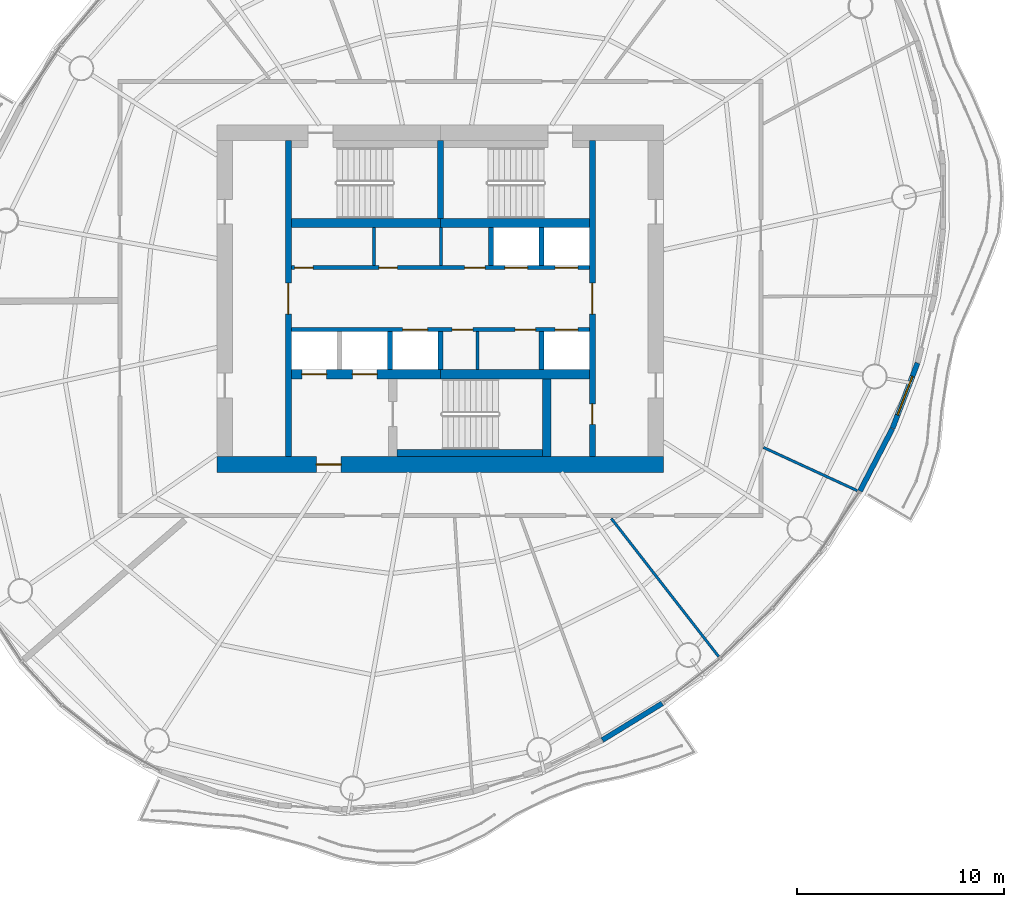
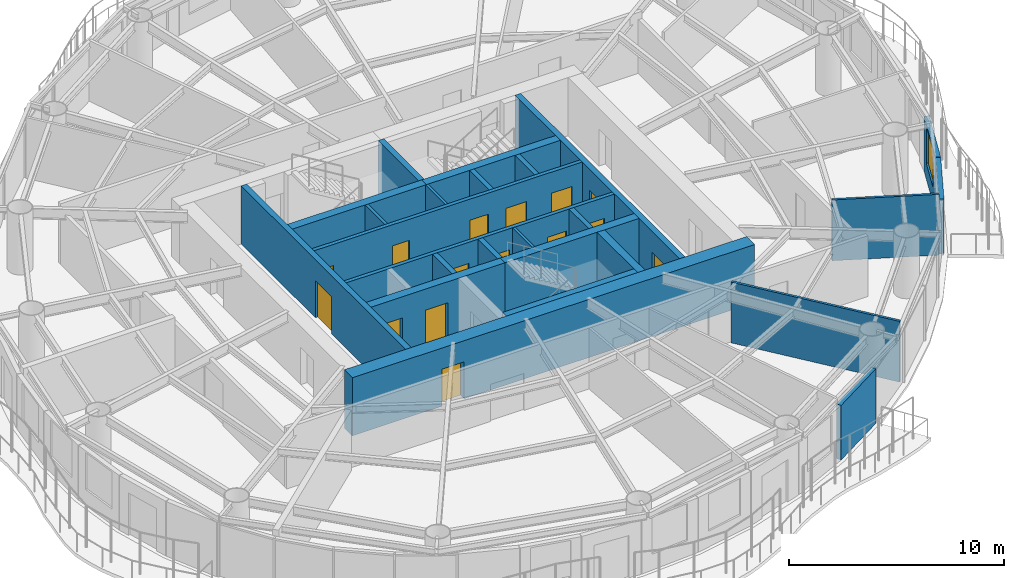
# One storey, part 9 of 15: 25 walls, 15 doors, 1 window, 16 openings.
"""IFC4 building model written with IfcOpenShell, lengths in metres."""

from ifc_helpers import new_model, si_unit, direction, frame, frame_2d, origin, place, context, subcontext, project, spatial, rectangle, extrude, material, layer, layer_set, type_object, element, fill, save


model = new_model("IFC4")

# Units and contexts
model_context = context("Model", 3, precision=1e-05, world=origin(), true_north=direction((0.0, 1.0)))
body_context = subcontext(model_context, "Body", "Model", "MODEL_VIEW")
ifc_project = project(units=[si_unit("LENGTHUNIT", "METRE"), si_unit("AREAUNIT", "SQUARE_METRE"), si_unit("VOLUMEUNIT", "CUBIC_METRE"), si_unit("PLANEANGLEUNIT", "RADIAN"), si_unit("MASSUNIT", "GRAM", prefix="KILO")], contexts=[model_context])

# Site, building, storey
site_placement = place(None, origin())
site = spatial("IfcSite", under=ifc_project, at=site_placement, CompositionType="ELEMENT")
building_placement = place(site_placement, origin())
building = spatial("IfcBuilding", under=site, at=building_placement, Name="Vermilion Reach Broadcast Tower", CompositionType="ELEMENT")
storey_placement = place(building_placement, frame((0.0, 0.0, 220.89990234375)))
storey = spatial("IfcBuildingStorey", under=building, at=storey_placement, Name="L54", CompositionType="ELEMENT", Elevation=220.89990234375)

# Wall, opening, door
ifc_material_1 = material(Name="Concrete C60", Category="concrete")
ifc_layer_1 = layer(ifc_material_1, 0.300048828125)
ifc_layer_set_1 = layer_set([ifc_layer_1], Name="Core inner wall 300 mm Concrete C60")
wall_type_1 = type_object("IfcWallType", Name="Core inner wall 300 mm Concrete C60", PredefinedType="SHEAR", material=ifc_layer_set_1)
wall_1_placement = place(storey_placement, frame((-13.35009765625, 7.64990234375, 0.0), z_axis=(0.0, 0.0, 1.0), x_axis=(0.0, -1.0, 0.0)))
wall_1 = element("IfcWall", 1, at=wall_1_placement, inside=storey, type_object=wall_type_1, Name="L54 core wall ewW", PredefinedType="SHEAR", context=body_context, shape_type="SweptSolid", body=[
    extrude(rectangle(XDim=15.2998046875, YDim=0.300048828125, at=frame_2d((7.64990234375, 0.0))), origin(), (0.0, 0.0, 1.0), 3.300048828125),
])
opening_1_placement = place(wall_1_placement, frame((6.89990234375, 0.0, 0.0)))
opening_1 = element("IfcOpeningElement", 2, at=opening_1_placement, cuts=wall_1, Name="Opening D04", PredefinedType="OPENING", context=body_context, shape_type="SweptSolid", body=[
    extrude(rectangle(XDim=1.5, YDim=2.10009765625, at=frame_2d((0.75, 1.050048828125))), frame((0.0, 0.159912109375, 0.0), z_axis=(0.0, -1.0, 0.0), x_axis=(1.0, 0.0, 0.0)), (0.0, 0.0, 1.0), 0.320068359375),
])
ifc_material_2 = material(Name="Painted steel fire door", Category="steel")
door_type_1 = type_object("IfcDoorType", Name="Lift lobby door 1500 x 2100", OperationType="DOUBLE_DOOR_SINGLE_SWING", PredefinedType="NOTDEFINED", material=ifc_material_2)
door_1_placement = place(opening_1_placement, origin())
door_1 = element("IfcDoor", 3, at=door_1_placement, inside=storey, type_object=door_type_1, Name="L54 band door BW", OperationType="DOUBLE_DOOR_SINGLE_SWING", OverallHeight=2.10009765625, OverallWidth=1.5, PredefinedType="NOTDEFINED", context=body_context, shape_type="SweptSolid", body=[
    extrude(rectangle(XDim=1.5, YDim=2.10009765625, at=frame_2d((0.75, 1.050048828125))), frame((0.0, 0.02490234375, 0.0), z_axis=(0.0, -1.0, 0.0), x_axis=(1.0, 0.0, 0.0)), (0.0, 0.0, 1.0), 0.050048828125),
])
fill(opening_1, door_1)

# Wall, openings, doors
wall_2_placement = place(storey_placement, frame((1.35009765625, -7.64990234375, 0.0), z_axis=(0.0, 0.0, 1.0), x_axis=(0.0, 1.0, 0.0)))
wall_2 = element("IfcWall", 4, at=wall_2_placement, inside=storey, type_object=wall_type_1, Name="L54 core wall ewE", PredefinedType="SHEAR", context=body_context, shape_type="SweptSolid", body=[
    extrude(rectangle(XDim=15.2998046875, YDim=0.300048828125, at=frame_2d((7.64990234375, 0.0))), origin(), (0.0, 0.0, 1.0), 3.300048828125),
])
opening_2_placement = place(wall_2_placement, frame((1.56005859375, 0.0, 0.0)))
opening_2 = element("IfcOpeningElement", 5, at=opening_2_placement, cuts=wall_2, Name="Opening D05", PredefinedType="OPENING", context=body_context, shape_type="SweptSolid", body=[
    extrude(rectangle(XDim=1.0, YDim=2.10009765625, at=frame_2d((0.5, 1.050048828125))), frame((0.0, 0.159912109375, 0.0), z_axis=(0.0, -1.0, 0.0), x_axis=(1.0, 0.0, 0.0)), (0.0, 0.0, 1.0), 0.320068359375),
])
opening_3_placement = place(wall_2_placement, frame((6.89990234375, 0.0, 0.0)))
opening_3 = element("IfcOpeningElement", 6, at=opening_3_placement, cuts=wall_2, Name="Opening D04", PredefinedType="OPENING", context=body_context, shape_type="SweptSolid", body=[
    extrude(rectangle(XDim=1.5, YDim=2.10009765625, at=frame_2d((0.75, 1.050048828125))), frame((0.0, 0.159912109375, 0.0), z_axis=(0.0, -1.0, 0.0), x_axis=(1.0, 0.0, 0.0)), (0.0, 0.0, 1.0), 0.320068359375),
])
door_2_placement = place(opening_3_placement, origin())
door_2 = element("IfcDoor", 7, at=door_2_placement, inside=storey, type_object=door_type_1, Name="L54 band door BE", OperationType="DOUBLE_DOOR_SINGLE_SWING", OverallHeight=2.10009765625, OverallWidth=1.5, PredefinedType="NOTDEFINED", context=body_context, shape_type="SweptSolid", body=[
    extrude(rectangle(XDim=1.5, YDim=2.10009765625, at=frame_2d((0.75, 1.050048828125))), frame((0.0, 0.02490234375, 0.0), z_axis=(0.0, -1.0, 0.0), x_axis=(1.0, 0.0, 0.0)), (0.0, 0.0, 1.0), 0.050048828125),
])
fill(opening_3, door_2)
ifc_material_3 = material(Name="Timber door", Category="wood")
door_type_2 = type_object("IfcDoorType", Name="Room door 1000 x 2100", OperationType="NOTDEFINED", PredefinedType="NOTDEFINED", material=ifc_material_3)
door_3_placement = place(opening_2_placement, origin())
door_3 = element("IfcDoor", 8, at=door_3_placement, inside=storey, type_object=door_type_2, Name="L54 door SER", OperationType="SINGLE_SWING_LEFT", OverallHeight=2.10009765625, OverallWidth=1.0, PredefinedType="NOTDEFINED", context=body_context, shape_type="SweptSolid", body=[
    extrude(rectangle(XDim=1.0, YDim=2.10009765625, at=frame_2d((0.5, 1.050048828125))), frame((0.0, 0.02490234375, 0.0), z_axis=(0.0, -1.0, 0.0), x_axis=(1.0, 0.0, 0.0)), (0.0, 0.0, 1.0), 0.050048828125),
])
fill(opening_2, door_3)

# Walls
wall_3_placement = place(storey_placement, frame((-6.0, 3.8798828125, 0.0), z_axis=(0.0, 0.0, 1.0), x_axis=(0.0, 1.0, 0.0)))
element("IfcWall", 9, at=wall_3_placement, inside=storey, type_object=wall_type_1, Name="L54 core wall wc", PredefinedType="SHEAR", context=body_context, shape_type="SweptSolid", body=[
    extrude(rectangle(XDim=3.77001953125, YDim=0.300048828125, at=frame_2d((1.885009765625, 0.0))), origin(), (0.0, 0.0, 1.0), 3.300048828125),
])
ifc_material_4 = material(Name="Concrete C60", Category="concrete")
ifc_layer_2 = layer(ifc_material_4, 0.39990234375)
ifc_layer_set_2 = layer_set([ifc_layer_2], Name="Core inner wall 400 mm Concrete C60")
wall_type_2 = type_object("IfcWallType", Name="Core inner wall 400 mm Concrete C60", PredefinedType="SHEAR", material=ifc_layer_set_2)
wall_4_placement = place(storey_placement, frame((-0.85009765625, -3.8798828125, 0.0), z_axis=(0.0, 0.0, 1.0), x_axis=(0.0, -1.0, 0.0)))
element("IfcWall", 10, at=wall_4_placement, inside=storey, type_object=wall_type_2, Name="L54 core wall wb", PredefinedType="SHEAR", context=body_context, shape_type="SweptSolid", body=[
    extrude(rectangle(XDim=3.77001953125, YDim=0.39990234375, at=frame_2d((1.885009765625, 0.0))), origin(), (0.0, 0.0, 1.0), 3.300048828125),
])
ifc_material_5 = material(Name="Concrete C60", Category="concrete")
ifc_layer_3 = layer(ifc_material_5, 0.449951171875)
ifc_layer_set_3 = layer_set([ifc_layer_3], Name="Core inner wall 450 mm Concrete C60")
wall_type_3 = type_object("IfcWallType", Name="Core inner wall 450 mm Concrete C60", PredefinedType="SHEAR", material=ifc_layer_set_3)
for number, where, z_axis, x_axis, name in (
    (11, (-13.199951171875, 3.655029296875, 0.0), (0.0, 0.0, 1.0), (1.0, 0.0, 0.0), "L54 core wall winW"),
    (12, (-6.0, 3.655029296875, 0.0), (0.0, 0.0, 1.0), (1.0, 0.0, 0.0), "L54 core wall winE"),
):
    element("IfcWall", number, at=place(storey_placement, frame(where, z_axis=z_axis, x_axis=x_axis)), inside=storey, type_object=wall_type_3, Name=name, PredefinedType="SHEAR", context=body_context, shape_type="SweptSolid", body=[
        extrude(rectangle(XDim=7.199951171875, YDim=0.449951171875, at=frame_2d((3.60009765625, 0.0))), origin(), (0.0, 0.0, 1.0), 3.300048828125),
    ])

# Wall, openings, doors
wall_5_placement = place(storey_placement, frame((-13.199951171875, -3.655029296875, 0.0), z_axis=(0.0, 0.0, 1.0), x_axis=(1.0, 0.0, 0.0)))
wall_5 = element("IfcWall", 13, at=wall_5_placement, inside=storey, type_object=wall_type_3, Name="L54 core wall wisW", PredefinedType="SHEAR", context=body_context, shape_type="SweptSolid", body=[
    extrude(rectangle(XDim=7.199951171875, YDim=0.449951171875, at=frame_2d((3.60009765625, 0.0))), origin(), (0.0, 0.0, 1.0), 3.300048828125),
])
opening_4_placement = place(wall_5_placement, frame((0.495849609375, 0.0, 0.0)))
opening_4 = element("IfcOpeningElement", 14, at=opening_4_placement, cuts=wall_5, Name="Opening LD1", PredefinedType="OPENING", context=body_context, shape_type="SweptSolid", body=[
    extrude(rectangle(XDim=1.199951171875, YDim=2.10009765625, at=frame_2d((0.60009765625, 1.050048828125))), frame((0.0, 0.23486328125, 0.0), z_axis=(0.0, -1.0, 0.0), x_axis=(1.0, 0.0, 0.0)), (0.0, 0.0, 1.0), 0.469970703125),
])
opening_5_placement = place(wall_5_placement, frame((2.9375, 0.0, 0.0)))
opening_5 = element("IfcOpeningElement", 15, at=opening_5_placement, cuts=wall_5, Name="Opening LD1", PredefinedType="OPENING", context=body_context, shape_type="SweptSolid", body=[
    extrude(rectangle(XDim=1.199951171875, YDim=2.10009765625, at=frame_2d((0.60009765625, 1.050048828125))), frame((0.0, 0.23486328125, 0.0), z_axis=(0.0, -1.0, 0.0), x_axis=(1.0, 0.0, 0.0)), (0.0, 0.0, 1.0), 0.469970703125),
])
ifc_material_6 = material(Name="Stainless steel", Category="steel")
door_type_3 = type_object("IfcDoorType", Name="Landing door 1200 x 2100", OperationType="DOUBLE_DOOR_SLIDING", PredefinedType="NOTDEFINED", material=ifc_material_6)
door_4_placement = place(opening_4_placement, origin())
door_4 = element("IfcDoor", 16, at=door_4_placement, inside=storey, type_object=door_type_3, Name="L54 landing door FF1", OperationType="DOUBLE_DOOR_SLIDING", OverallHeight=2.10009765625, OverallWidth=1.199951171875, PredefinedType="NOTDEFINED", context=body_context, shape_type="SweptSolid", body=[
    extrude(rectangle(XDim=1.199951171875, YDim=2.10009765625, at=frame_2d((0.60009765625, 1.050048828125))), frame((0.0, 0.02490234375, 0.0), z_axis=(0.0, -1.0, 0.0), x_axis=(1.0, 0.0, 0.0)), (0.0, 0.0, 1.0), 0.050048828125),
])
fill(opening_4, door_4)
door_5_placement = place(opening_5_placement, origin())
door_5 = element("IfcDoor", 17, at=door_5_placement, inside=storey, type_object=door_type_3, Name="L54 landing door FF2", OperationType="DOUBLE_DOOR_SLIDING", OverallHeight=2.10009765625, OverallWidth=1.199951171875, PredefinedType="NOTDEFINED", context=body_context, shape_type="SweptSolid", body=[
    extrude(rectangle(XDim=1.199951171875, YDim=2.10009765625, at=frame_2d((0.60009765625, 1.050048828125))), frame((0.0, 0.02490234375, 0.0), z_axis=(0.0, -1.0, 0.0), x_axis=(1.0, 0.0, 0.0)), (0.0, 0.0, 1.0), 0.050048828125),
])
fill(opening_5, door_5)

# Wall
wall_6_placement = place(storey_placement, frame((-6.0, -3.655029296875, 0.0), z_axis=(0.0, 0.0, 1.0), x_axis=(1.0, 0.0, 0.0)))
element("IfcWall", 18, at=wall_6_placement, inside=storey, type_object=wall_type_3, Name="L54 core wall wisE", PredefinedType="SHEAR", context=body_context, shape_type="SweptSolid", body=[
    extrude(rectangle(XDim=7.199951171875, YDim=0.449951171875, at=frame_2d((3.60009765625, 0.0))), origin(), (0.0, 0.0, 1.0), 3.300048828125),
])

# Wall, opening, door
ifc_material_7 = material(Name="Concrete C60", Category="concrete")
ifc_layer_4 = layer(ifc_material_7, 0.75)
ifc_layer_set_4 = layer_set([ifc_layer_4], Name="Core outer wall 750 mm Concrete C60")
wall_type_4 = type_object("IfcWallType", Name="Core outer wall 750 mm Concrete C60", PredefinedType="SHEAR", material=ifc_layer_set_4)
wall_7_placement = place(storey_placement, frame((-16.800048828125, -8.02490234375, 0.0), z_axis=(0.0, 0.0, 1.0), x_axis=(1.0, 0.0, 0.0)))
wall_7 = element("IfcWall", 19, at=wall_7_placement, inside=storey, type_object=wall_type_4, Name="L54 core wall os", PredefinedType="SHEAR", context=body_context, shape_type="SweptSolid", body=[
    extrude(rectangle(XDim=21.60009765625, YDim=0.75, at=frame_2d((10.800048828125, 0.0))), origin(), (0.0, 0.0, 1.0), 3.300048828125),
])
opening_6_placement = place(wall_7_placement, frame((4.800048828125, 0.0, 0.0)))
opening_6 = element("IfcOpeningElement", 20, at=opening_6_placement, cuts=wall_7, Name="Opening D02", PredefinedType="OPENING", context=body_context, shape_type="SweptSolid", body=[
    extrude(rectangle(XDim=1.199951171875, YDim=2.10009765625, at=frame_2d((0.60009765625, 1.050048828125))), frame((0.0, 0.385009765625, 0.0), z_axis=(0.0, -1.0, 0.0), x_axis=(1.0, 0.0, 0.0)), (0.0, 0.0, 1.0), 0.77001953125),
])
ifc_material_8 = material(Name="Painted steel fire door", Category="steel")
door_type_4 = type_object("IfcDoorType", Name="Firefighting lobby door 1200 x 2100", OperationType="DOUBLE_DOOR_SINGLE_SWING", PredefinedType="NOTDEFINED", material=ifc_material_8)
door_6_placement = place(opening_6_placement, origin())
door_6 = element("IfcDoor", 21, at=door_6_placement, inside=storey, type_object=door_type_4, Name="L54 ffdoor door FFL", OperationType="DOUBLE_DOOR_SINGLE_SWING", OverallHeight=2.10009765625, OverallWidth=1.199951171875, PredefinedType="NOTDEFINED", context=body_context, shape_type="SweptSolid", body=[
    extrude(rectangle(XDim=1.199951171875, YDim=2.10009765625, at=frame_2d((0.60009765625, 1.050048828125))), frame((0.0, 0.02490234375, 0.0), z_axis=(0.0, -1.0, 0.0), x_axis=(1.0, 0.0, 0.0)), (0.0, 0.0, 1.0), 0.050048828125),
])
fill(opening_6, door_6)

# Walls
ifc_material_9 = material(Name="Masonry block", Category="masonry")
ifc_layer_5 = layer(ifc_material_9, 0.14990234375)
ifc_layer_set_5 = layer_set([ifc_layer_5], Name="Core partition wall 150 mm Masonry block")
wall_type_5 = type_object("IfcWallType", Name="Core partition wall 150 mm Masonry block", PredefinedType="PARTITIONING", material=ifc_layer_set_5)
for number, where, z_axis, x_axis, name in (
    (22, (-9.202880859375, 1.60009765625, 0.0), (0.0, 0.0, 1.0), (0.0, 1.0, 0.0), "L54 core wall prN-3203"),
    (23, (-5.96728515625, 1.60009765625, 0.0), (0.0, 0.0, 1.0), (0.0, 1.0, 0.0), "L54 core wall prN33"),
    (24, (-4.20703125, -1.60009765625, 0.0), (0.0, 0.0, 1.0), (0.0, -1.0, 0.0), "L54 core wall prS1793"),
):
    element("IfcWall", number, at=place(storey_placement, frame(where, z_axis=z_axis, x_axis=x_axis)), inside=storey, type_object=wall_type_5, Name=name, PredefinedType="PARTITIONING", context=body_context, shape_type="SweptSolid", body=[
        extrude(rectangle(XDim=1.829833984375, YDim=0.14990234375, at=frame_2d((0.9150390625, 0.0))), origin(), (0.0, 0.0, 1.0), 3.300048828125),
    ])

# Wall, openings, doors
ifc_material_10 = material(Name="Concrete C50", Category="concrete")
ifc_layer_6 = layer(ifc_material_10, 0.199951171875)
ifc_layer_set_6 = layer_set([ifc_layer_6], Name="Core shaft wall 200 mm Concrete C50")
wall_type_6 = type_object("IfcWallType", Name="Core shaft wall 200 mm Concrete C50", PredefinedType="SHEAR", material=ifc_layer_set_6)
wall_8_placement = place(storey_placement, frame((-13.199951171875, 1.5, 0.0), z_axis=(0.0, 0.0, 1.0), x_axis=(1.0, 0.0, 0.0)))
wall_8 = element("IfcWall", 25, at=wall_8_placement, inside=storey, type_object=wall_type_6, Name="L54 core wall fn", PredefinedType="SHEAR", context=body_context, shape_type="SweptSolid", body=[
    extrude(rectangle(XDim=14.39990234375, YDim=0.199951171875, at=frame_2d((7.199951171875, 0.0))), origin(), (0.0, 0.0, 1.0), 3.300048828125),
])
opening_7_placement = place(wall_8_placement, frame((10.3125, 0.0, 0.0)))
opening_7 = element("IfcOpeningElement", 26, at=opening_7_placement, cuts=wall_8, Name="Opening LD2", PredefinedType="OPENING", context=body_context, shape_type="SweptSolid", body=[
    extrude(rectangle(XDim=1.10009765625, YDim=2.10009765625, at=frame_2d((0.550048828125, 1.050048828125))), frame((0.0, 0.10986328125, 0.0), z_axis=(0.0, -1.0, 0.0), x_axis=(1.0, 0.0, 0.0)), (0.0, 0.0, 1.0), 0.219970703125),
])
opening_8_placement = place(wall_8_placement, frame((12.754150390625, 0.0, 0.0)))
opening_8 = element("IfcOpeningElement", 27, at=opening_8_placement, cuts=wall_8, Name="Opening LD2", PredefinedType="OPENING", context=body_context, shape_type="SweptSolid", body=[
    extrude(rectangle(XDim=1.10009765625, YDim=2.10009765625, at=frame_2d((0.550048828125, 1.050048828125))), frame((0.0, 0.10986328125, 0.0), z_axis=(0.0, -1.0, 0.0), x_axis=(1.0, 0.0, 0.0)), (0.0, 0.0, 1.0), 0.219970703125),
])
opening_9_placement = place(wall_8_placement, frame((0.14990234375, 0.0, 0.0)))
opening_9 = element("IfcOpeningElement", 28, at=opening_9_placement, cuts=wall_8, Name="Opening D06", PredefinedType="OPENING", context=body_context, shape_type="SweptSolid", body=[
    extrude(rectangle(XDim=0.89990234375, YDim=2.10009765625, at=frame_2d((0.449951171875, 1.050048828125))), frame((0.0, 0.10986328125, 0.0), z_axis=(0.0, -1.0, 0.0), x_axis=(1.0, 0.0, 0.0)), (0.0, 0.0, 1.0), 0.219970703125),
])
opening_10_placement = place(wall_8_placement, frame((4.221923828125, 0.0, 0.0)))
opening_10 = element("IfcOpeningElement", 29, at=opening_10_placement, cuts=wall_8, Name="Opening D06", PredefinedType="OPENING", context=body_context, shape_type="SweptSolid", body=[
    extrude(rectangle(XDim=0.89990234375, YDim=2.10009765625, at=frame_2d((0.449951171875, 1.050048828125))), frame((0.0, 0.10986328125, 0.0), z_axis=(0.0, -1.0, 0.0), x_axis=(1.0, 0.0, 0.0)), (0.0, 0.0, 1.0), 0.219970703125),
])
opening_11_placement = place(wall_8_placement, frame((8.36669921875, 0.0, 0.0)))
opening_11 = element("IfcOpeningElement", 30, at=opening_11_placement, cuts=wall_8, Name="Opening D10", PredefinedType="OPENING", context=body_context, shape_type="SweptSolid", body=[
    extrude(rectangle(XDim=1.0, YDim=2.10009765625, at=frame_2d((0.5, 1.050048828125))), frame((0.0, 0.10986328125, 0.0), z_axis=(0.0, -1.0, 0.0), x_axis=(1.0, 0.0, 0.0)), (0.0, 0.0, 1.0), 0.219970703125),
])
ifc_material_11 = material(Name="Stainless steel", Category="steel")
door_type_5 = type_object("IfcDoorType", Name="Landing door 1100 x 2100", OperationType="DOUBLE_DOOR_SLIDING", PredefinedType="NOTDEFINED", material=ifc_material_11)
door_7_placement = place(opening_7_placement, origin())
door_7 = element("IfcDoor", 31, at=door_7_placement, inside=storey, type_object=door_type_5, Name="L54 landing door HR1", OperationType="DOUBLE_DOOR_SLIDING", OverallHeight=2.10009765625, OverallWidth=1.10009765625, PredefinedType="NOTDEFINED", context=body_context, shape_type="SweptSolid", body=[
    extrude(rectangle(XDim=1.10009765625, YDim=2.10009765625, at=frame_2d((0.550048828125, 1.050048828125))), frame((0.0, 0.02490234375, 0.0), z_axis=(0.0, -1.0, 0.0), x_axis=(1.0, 0.0, 0.0)), (0.0, 0.0, 1.0), 0.050048828125),
])
fill(opening_7, door_7)
door_8_placement = place(opening_8_placement, origin())
door_8 = element("IfcDoor", 32, at=door_8_placement, inside=storey, type_object=door_type_5, Name="L54 landing door HR2", OperationType="DOUBLE_DOOR_SLIDING", OverallHeight=2.10009765625, OverallWidth=1.10009765625, PredefinedType="NOTDEFINED", context=body_context, shape_type="SweptSolid", body=[
    extrude(rectangle(XDim=1.10009765625, YDim=2.10009765625, at=frame_2d((0.550048828125, 1.050048828125))), frame((0.0, 0.02490234375, 0.0), z_axis=(0.0, -1.0, 0.0), x_axis=(1.0, 0.0, 0.0)), (0.0, 0.0, 1.0), 0.050048828125),
])
fill(opening_8, door_8)
ifc_material_12 = material(Name="Timber door", Category="wood")
door_type_6 = type_object("IfcDoorType", Name="WC door 900 x 2100", OperationType="NOTDEFINED", PredefinedType="NOTDEFINED", material=ifc_material_12)
door_9_placement = place(opening_9_placement, origin())
door_9 = element("IfcDoor", 33, at=door_9_placement, inside=storey, type_object=door_type_6, Name="L54 door Female WC", OperationType="SINGLE_SWING_LEFT", OverallHeight=2.10009765625, OverallWidth=0.89990234375, PredefinedType="NOTDEFINED", context=body_context, shape_type="SweptSolid", body=[
    extrude(rectangle(XDim=0.89990234375, YDim=2.10009765625, at=frame_2d((0.449951171875, 1.050048828125))), frame((0.0, 0.02490234375, 0.0), z_axis=(0.0, -1.0, 0.0), x_axis=(1.0, 0.0, 0.0)), (0.0, 0.0, 1.0), 0.050048828125),
])
fill(opening_9, door_9)
door_10_placement = place(opening_10_placement, origin())
door_10 = element("IfcDoor", 34, at=door_10_placement, inside=storey, type_object=door_type_6, Name="L54 door Male WC", OperationType="SINGLE_SWING_LEFT", OverallHeight=2.10009765625, OverallWidth=0.89990234375, PredefinedType="NOTDEFINED", context=body_context, shape_type="SweptSolid", body=[
    extrude(rectangle(XDim=0.89990234375, YDim=2.10009765625, at=frame_2d((0.449951171875, 1.050048828125))), frame((0.0, 0.02490234375, 0.0), z_axis=(0.0, -1.0, 0.0), x_axis=(1.0, 0.0, 0.0)), (0.0, 0.0, 1.0), 0.050048828125),
])
fill(opening_10, door_10)
ifc_material_13 = material(Name="Timber door", Category="wood")
door_type_7 = type_object("IfcDoorType", Name="WC lobby door 1000 x 2100", OperationType="NOTDEFINED", PredefinedType="NOTDEFINED", material=ifc_material_13)
door_11_placement = place(opening_11_placement, origin())
door_11 = element("IfcDoor", 35, at=door_11_placement, inside=storey, type_object=door_type_7, Name="L54 door WC lobby", OperationType="SINGLE_SWING_RIGHT", OverallHeight=2.10009765625, OverallWidth=1.0, PredefinedType="NOTDEFINED", context=body_context, shape_type="SweptSolid", body=[
    extrude(rectangle(XDim=1.0, YDim=2.10009765625, at=frame_2d((0.5, 1.050048828125))), frame((0.0, 0.02490234375, 0.0), z_axis=(0.0, -1.0, 0.0), x_axis=(1.0, 0.0, 0.0)), (0.0, 0.0, 1.0), 0.050048828125),
])
fill(opening_11, door_11)

wall_9_placement = place(storey_placement, frame((1.199951171875, -1.5, 0.0), z_axis=(0.0, 0.0, 1.0), x_axis=(-1.0, 0.0, 0.0)))
wall_9 = element("IfcWall", 36, at=wall_9_placement, inside=storey, type_object=wall_type_6, Name="L54 core wall fs", PredefinedType="SHEAR", context=body_context, shape_type="SweptSolid", body=[
    extrude(rectangle(XDim=14.39990234375, YDim=0.199951171875, at=frame_2d((7.199951171875, 0.0))), origin(), (0.0, 0.0, 1.0), 3.300048828125),
])
opening_12_placement = place(wall_9_placement, frame((7.82080078125, 0.0, 0.0)))
opening_12 = element("IfcOpeningElement", 37, at=opening_12_placement, cuts=wall_9, Name="Opening LD1", PredefinedType="OPENING", context=body_context, shape_type="SweptSolid", body=[
    extrude(rectangle(XDim=1.199951171875, YDim=2.10009765625, at=frame_2d((0.60009765625, 1.050048828125))), frame((0.0, 0.10986328125, 0.0), z_axis=(0.0, -1.0, 0.0), x_axis=(1.0, 0.0, 0.0)), (0.0, 0.0, 1.0), 0.219970703125),
])
opening_13_placement = place(wall_9_placement, frame((0.5458984375, 0.0, 0.0)))
opening_13 = element("IfcOpeningElement", 38, at=opening_13_placement, cuts=wall_9, Name="Opening LD2", PredefinedType="OPENING", context=body_context, shape_type="SweptSolid", body=[
    extrude(rectangle(XDim=1.10009765625, YDim=2.10009765625, at=frame_2d((0.550048828125, 1.050048828125))), frame((0.0, 0.10986328125, 0.0), z_axis=(0.0, -1.0, 0.0), x_axis=(1.0, 0.0, 0.0)), (0.0, 0.0, 1.0), 0.219970703125),
])
opening_14_placement = place(wall_9_placement, frame((5.632080078125, 0.0, 0.0)))
opening_14 = element("IfcOpeningElement", 39, at=opening_14_placement, cuts=wall_9, Name="Opening D11", PredefinedType="OPENING", context=body_context, shape_type="SweptSolid", body=[
    extrude(rectangle(XDim=1.0, YDim=2.10009765625, at=frame_2d((0.5, 1.050048828125))), frame((0.0, 0.10986328125, 0.0), z_axis=(0.0, -1.0, 0.0), x_axis=(1.0, 0.0, 0.0)), (0.0, 0.0, 1.0), 0.219970703125),
])
opening_15_placement = place(wall_9_placement, frame((2.591552734375, 0.0, 0.0)))
opening_15 = element("IfcOpeningElement", 40, at=opening_15_placement, cuts=wall_9, Name="Opening D07", PredefinedType="OPENING", context=body_context, shape_type="SweptSolid", body=[
    extrude(rectangle(XDim=1.0, YDim=2.10009765625, at=frame_2d((0.5, 1.050048828125))), frame((0.0, 0.10986328125, 0.0), z_axis=(0.0, -1.0, 0.0), x_axis=(1.0, 0.0, 0.0)), (0.0, 0.0, 1.0), 0.219970703125),
])
ifc_material_14 = material(Name="Timber door", Category="wood")
door_type_8 = type_object("IfcDoorType", Name="Accessible WC door 1000 x 2100", OperationType="NOTDEFINED", PredefinedType="NOTDEFINED", material=ifc_material_14)
door_12_placement = place(opening_15_placement, origin())
door_12 = element("IfcDoor", 41, at=door_12_placement, inside=storey, type_object=door_type_8, Name="L54 door Accessible WC", OperationType="SINGLE_SWING_LEFT", OverallHeight=2.10009765625, OverallWidth=1.0, PredefinedType="NOTDEFINED", context=body_context, shape_type="SweptSolid", body=[
    extrude(rectangle(XDim=1.0, YDim=2.10009765625, at=frame_2d((0.5, 1.050048828125))), frame((0.0, 0.02490234375, 0.0), z_axis=(0.0, -1.0, 0.0), x_axis=(1.0, 0.0, 0.0)), (0.0, 0.0, 1.0), 0.050048828125),
])
fill(opening_15, door_12)
door_13_placement = place(opening_13_placement, origin())
door_13 = element("IfcDoor", 42, at=door_13_placement, inside=storey, type_object=door_type_5, Name="L54 landing door HR3", OperationType="DOUBLE_DOOR_SLIDING", OverallHeight=2.10009765625, OverallWidth=1.10009765625, PredefinedType="NOTDEFINED", context=body_context, shape_type="SweptSolid", body=[
    extrude(rectangle(XDim=1.10009765625, YDim=2.10009765625, at=frame_2d((0.550048828125, 1.050048828125))), frame((0.0, 0.02490234375, 0.0), z_axis=(0.0, -1.0, 0.0), x_axis=(1.0, 0.0, 0.0)), (0.0, 0.0, 1.0), 0.050048828125),
])
fill(opening_13, door_13)
door_14_placement = place(opening_12_placement, origin())
door_14 = element("IfcDoor", 43, at=door_14_placement, inside=storey, type_object=door_type_3, Name="L54 landing door SV1", OperationType="DOUBLE_DOOR_SLIDING", OverallHeight=2.10009765625, OverallWidth=1.199951171875, PredefinedType="NOTDEFINED", context=body_context, shape_type="SweptSolid", body=[
    extrude(rectangle(XDim=1.199951171875, YDim=2.10009765625, at=frame_2d((0.60009765625, 1.050048828125))), frame((0.0, 0.02490234375, 0.0), z_axis=(0.0, -1.0, 0.0), x_axis=(1.0, 0.0, 0.0)), (0.0, 0.0, 1.0), 0.050048828125),
])
fill(opening_12, door_14)
ifc_material_15 = material(Name="Painted steel fire door", Category="steel")
door_type_9 = type_object("IfcDoorType", Name="Services room door 1000 x 2100", OperationType="NOTDEFINED", PredefinedType="NOTDEFINED", material=ifc_material_15)
door_15_placement = place(opening_14_placement, origin())
door_15 = element("IfcDoor", 44, at=door_15_placement, inside=storey, type_object=door_type_9, Name="L54 door Electrical room", OperationType="SINGLE_SWING_LEFT", OverallHeight=2.10009765625, OverallWidth=1.0, PredefinedType="NOTDEFINED", context=body_context, shape_type="SweptSolid", body=[
    extrude(rectangle(XDim=1.0, YDim=2.10009765625, at=frame_2d((0.5, 1.050048828125))), frame((0.0, 0.02490234375, 0.0), z_axis=(0.0, -1.0, 0.0), x_axis=(1.0, 0.0, 0.0)), (0.0, 0.0, 1.0), 0.050048828125),
])
fill(opening_14, door_15)

# Walls
ifc_material_16 = material(Name="Concrete C50", Category="concrete")
ifc_layer_7 = layer(ifc_material_16, 0.25)
ifc_layer_set_7 = layer_set([ifc_layer_7], Name="Core shaft wall 250 mm Concrete C50")
wall_type_7 = type_object("IfcWallType", Name="Core shaft wall 250 mm Concrete C50", PredefinedType="SHEAR", material=ifc_layer_set_7)
for number, where, z_axis, x_axis, name in (
    (45, (-3.558349609375, 1.60009765625, 0.0), (0.0, 0.0, 1.0), (0.0, 1.0, 0.0), "L54 core wall psN3"),
    (46, (-1.11669921875, 1.60009765625, 0.0), (0.0, 0.0, 1.0), (0.0, 1.0, 0.0), "L54 core wall psN4"),
    (47, (-8.441650390625, -1.60009765625, 0.0), (0.0, 0.0, 1.0), (0.0, -1.0, 0.0), "L54 core wall psS1"),
    (48, (-6.0, -1.60009765625, 0.0), (0.0, 0.0, 1.0), (0.0, -1.0, 0.0), "L54 core wall psS2"),
    (49, (-1.11669921875, -1.60009765625, 0.0), (0.0, 0.0, 1.0), (0.0, -1.0, 0.0), "L54 core wall psS4"),
):
    element("IfcWall", number, at=place(storey_placement, frame(where, z_axis=z_axis, x_axis=x_axis)), inside=storey, type_object=wall_type_7, Name=name, PredefinedType="SHEAR", context=body_context, shape_type="SweptSolid", body=[
        extrude(rectangle(XDim=1.829833984375, YDim=0.25, at=frame_2d((0.9150390625, 0.0))), origin(), (0.0, 0.0, 1.0), 3.300048828125),
    ])
ifc_material_17 = material(Name="Concrete C60", Category="concrete")
ifc_layer_8 = layer(ifc_material_17, 0.35009765625)
ifc_layer_set_8 = layer_set([ifc_layer_8], Name="Core stair wall 350 mm Concrete C60")
wall_type_8 = type_object("IfcWallType", Name="Core stair wall 350 mm Concrete C60", PredefinedType="SHEAR", material=ifc_layer_set_8)
wall_10_placement = place(storey_placement, frame((-8.10009765625, -7.47509765625, 0.0), z_axis=(0.0, 0.0, 1.0), x_axis=(1.0, 0.0, 0.0)))
element("IfcWall", 50, at=wall_10_placement, inside=storey, type_object=wall_type_8, Name="L54 core wall l3", PredefinedType="SHEAR", context=body_context, shape_type="SweptSolid", body=[
    extrude(rectangle(XDim=7.050048828125, YDim=0.35009765625, at=frame_2d((3.52490234375, 0.0))), origin(), (0.0, 0.0, 1.0), 3.300048828125),
])
ifc_material_18 = material(Name="Fire-rated plasterboard on steel stud", Category="steel")
ifc_layer_9 = layer(ifc_material_18, 0.125)
ifc_layer_set_9 = layer_set([ifc_layer_9], Name="Partition 125 fire-rated stud")
wall_type_9 = type_object("IfcWallType", Name="Partition 125 fire-rated stud", PredefinedType="PARTITIONING", material=ifc_layer_set_9)
wall_11_placement = place(storey_placement, frame((7.456787109375, -17.31396484375, 0.0), z_axis=(0.0, 0.0, 1.0), x_axis=(-0.613674696521, 0.789558969837, 0.0)))
element("IfcWall", 51, at=wall_11_placement, inside=storey, type_object=wall_type_9, Name="Partition 54.09", PredefinedType="PARTITIONING", context=body_context, shape_type="SweptSolid", body=[
    extrude(rectangle(XDim=8.454833984375, YDim=0.125, at=frame_2d((4.2275390625, 0.0))), origin(), (0.0, 0.0, 1.0), 3.4501953125),
])
wall_12_placement = place(storey_placement, frame((14.161376953125, -9.291748046875, 0.0), z_axis=(0.0, 0.0, 1.0), x_axis=(-0.908192487976, 0.4185527503, 0.0)))
element("IfcWall", 52, at=wall_12_placement, inside=storey, type_object=wall_type_9, Name="Partition 54.10", PredefinedType="PARTITIONING", context=body_context, shape_type="SweptSolid", body=[
    extrude(rectangle(XDim=4.99365234375, YDim=0.125, at=frame_2d((2.496826171875, 0.0))), origin(), (0.0, 0.0, 1.0), 3.4501953125),
])
ifc_material_19 = material(Name="Terracotta rainscreen cladding", Category="masonry")
ifc_layer_10 = layer(ifc_material_19, 0.25)
ifc_layer_set_10 = layer_set([ifc_layer_10], Name="Terracotta rainscreen wall 250")
wall_type_10 = type_object("IfcWallType", Name="Terracotta rainscreen wall 250", PredefinedType="SOLIDWALL", material=ifc_layer_set_10)
wall_13_placement = place(storey_placement, frame((1.83349609375, -21.353271484375, 0.0), z_axis=(0.0, 0.0, 1.0), x_axis=(0.852681900505, 0.522430451402, 0.0)))
element("IfcWall", 53, at=wall_13_placement, inside=storey, type_object=wall_type_10, Name="External wall L54 33", PredefinedType="SOLIDWALL", context=body_context, shape_type="SweptSolid", body=[
    extrude(rectangle(XDim=3.393310546875, YDim=0.25, at=frame_2d((1.69677734375, 0.0))), origin(), (0.0, 0.0, 1.0), 3.10009765625),
])
wall_14_placement = place(storey_placement, frame((14.294189453125, -9.306396484375, 0.0), z_axis=(0.0, 0.0, 1.0), x_axis=(0.460432675655, 0.887694627216, 0.0)))
element("IfcWall", 54, at=wall_14_placement, inside=storey, type_object=wall_type_10, Name="External wall L54 38", PredefinedType="SOLIDWALL", context=body_context, shape_type="SweptSolid", body=[
    extrude(rectangle(XDim=3.39306640625, YDim=0.25, at=frame_2d((1.696533203125, 0.0))), origin(), (0.0, 0.0, 1.0), 3.10009765625),
])

# Wall, opening, window
wall_15_placement = place(storey_placement, frame((15.86572265625, -6.274169921875, 0.0), z_axis=(0.0, 0.0, 1.0), x_axis=(0.35762850613, 0.933863936343, 0.0)))
wall_15 = element("IfcWall", 55, at=wall_15_placement, inside=storey, type_object=wall_type_10, Name="External wall L54 39", PredefinedType="SOLIDWALL", context=body_context, shape_type="SweptSolid", body=[
    extrude(rectangle(XDim=3.380615234375, YDim=0.25, at=frame_2d((1.6904296875, 0.0))), origin(), (0.0, 0.0, 1.0), 3.10009765625),
])
opening_16_placement = place(wall_15_placement, frame((0.690185546875, 0.0, 0.89990234375)))
opening_16 = element("IfcOpeningElement", 56, at=opening_16_placement, cuts=wall_15, Name="Opening W03", PredefinedType="OPENING", context=body_context, shape_type="SweptSolid", body=[
    extrude(rectangle(XDim=2.0, YDim=2.10009765625, at=frame_2d((1.0, 1.050048828125))), frame((0.0, 0.135009765625, 0.0), z_axis=(0.0, -1.0, 0.0), x_axis=(1.0, 0.0, 0.0)), (0.0, 0.0, 1.0), 0.27001953125),
])
ifc_material_20 = material(Name="Low-e laminated clear glass in aluminium frame", Category="aluminium")
window_type = type_object("IfcWindowType", Name="Punched window 2000 x 2100 sill 900", PartitioningType="SINGLE_PANEL", PredefinedType="WINDOW", material=ifc_material_20)
window_placement = place(opening_16_placement, origin())
window = element("IfcWindow", 57, at=window_placement, inside=storey, type_object=window_type, Name="Window L54 39", OverallHeight=2.10009765625, OverallWidth=2.0, PartitioningType="SINGLE_PANEL", PredefinedType="WINDOW", context=body_context, shape_type="SweptSolid", body=[
    extrude(rectangle(XDim=2.0, YDim=2.10009765625, at=frame_2d((1.0, 1.050048828125))), frame((0.0, 0.030029296875, 0.0), z_axis=(0.0, -1.0, 0.0), x_axis=(1.0, 0.0, 0.0)), (0.0, 0.0, 1.0), 0.06005859375),
])
fill(opening_16, window)

save(model, "model.ifc")
